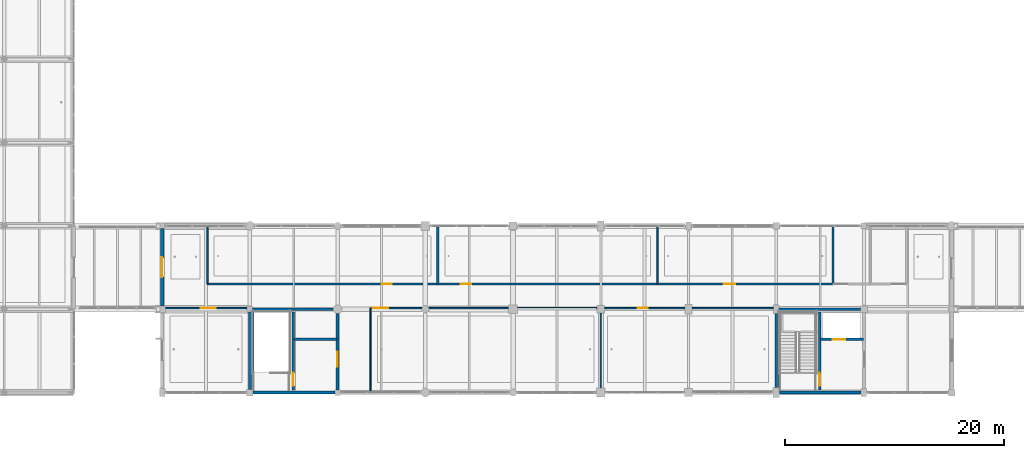
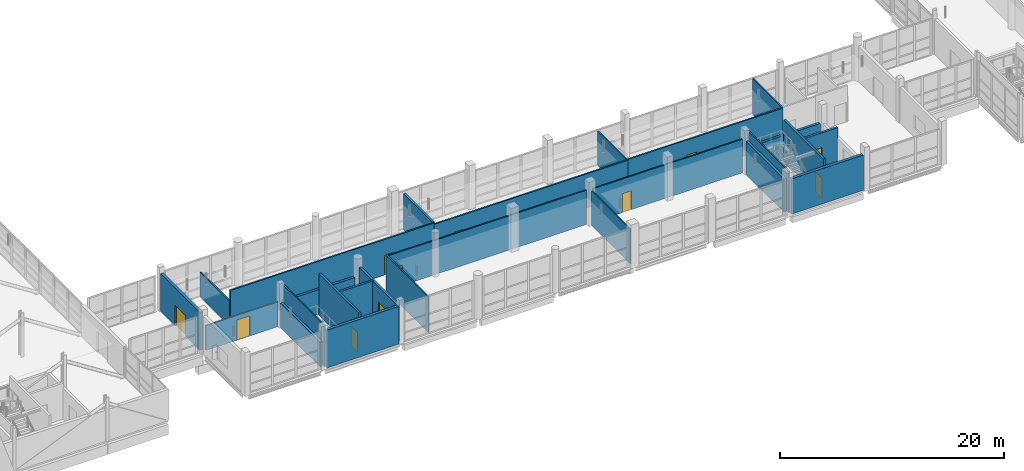
# One storey, part 91 of 141: 26 walls, 11 doors, 11 openings.
"""IFC4 building model written with IfcOpenShell, lengths in metres."""

from ifc_helpers import new_model, si_unit, direction, frame, frame_2d, origin, place, context, subcontext, project, spatial, rectangle, extrude, material, layer, layer_set, type_object, element, fill, save


model = new_model("IFC4")

# Units and contexts
model_context = context("Model", 3, precision=1e-05, world=origin(), true_north=direction((0.0, 1.0)))
body_context = subcontext(model_context, "Body", "Model", "MODEL_VIEW")
ifc_project = project(units=[si_unit("LENGTHUNIT", "METRE"), si_unit("AREAUNIT", "SQUARE_METRE"), si_unit("VOLUMEUNIT", "CUBIC_METRE"), si_unit("PLANEANGLEUNIT", "RADIAN"), si_unit("MASSUNIT", "GRAM", prefix="KILO")], contexts=[model_context])

# Site, building, storey
site_placement = place(None, origin())
site = spatial("IfcSite", under=ifc_project, at=site_placement, CompositionType="ELEMENT")
building_placement = place(site_placement, origin())
building = spatial("IfcBuilding", under=site, at=building_placement, Name="Khelvaren Railside Concert Hall", CompositionType="ELEMENT")
storey_placement = place(building_placement, frame((0.0, 0.0, 10.199951171875)))
storey = spatial("IfcBuildingStorey", under=building, at=storey_placement, Name="L02", CompositionType="ELEMENT", Elevation=10.199951171875)

# Walls
ifc_material_1 = material(Name="Concrete C40/50", Category="concrete")
ifc_layer_1 = layer(ifc_material_1, 0.139892578125)
ifc_layer_set_1 = layer_set([ifc_layer_1], Name="Concrete C40/50")
wall_type_1 = type_object("IfcWallType", Name="CW17", PredefinedType="SOLIDWALL", material=ifc_layer_set_1)
for number, where, z_axis, x_axis, name in (
    (1, (72.27490234375, 0.14990234375, 0.0), (0.0, 0.0, 1.0), (0.0, 1.0, 0.0), "Core Shaft Structural Liner Wall ST-05-L02"),
    (2, (120.27490234375, 0.14990234375, 0.0), (0.0, 0.0, 1.0), (0.0, 1.0, 0.0), "Core Shaft Structural Liner Wall ST-06-L02"),
):
    element("IfcWall", number, at=place(storey_placement, frame(where, z_axis=z_axis, x_axis=x_axis)), inside=storey, type_object=wall_type_1, Name=name, PredefinedType="SOLIDWALL", context=body_context, shape_type="SweptSolid", body=[
        extrude(rectangle(XDim=7.300048828125, YDim=0.139892578125, at=frame_2d((3.64990234375, 0.0))), origin(), (0.0, 0.0, 1.0), 4.52001953125),
    ])
ifc_layer_2 = layer(ifc_material_1, 0.25)
ifc_layer_set_2 = layer_set([ifc_layer_2], Name="Concrete C40/50")
wall_type_2 = type_object("IfcWallType", Name="CW82", PredefinedType="SOLIDWALL", material=ifc_layer_set_2)
wall_1_placement = place(storey_placement, frame((72.0, 0.300048828125, 0.0), z_axis=(0.0, 0.0, 1.0), x_axis=(0.0, 1.0, 0.0)))
element("IfcWall", 3, at=wall_1_placement, inside=storey, type_object=wall_type_2, Name="Core Enclosure Wall CWALL-ST-05-L02-W", PredefinedType="SOLIDWALL", context=body_context, shape_type="SweptSolid", body=[
    extrude(rectangle(XDim=7.050048828125, YDim=0.25, at=frame_2d((3.52490234375, 0.0))), origin(), (0.0, 0.0, 1.0), 2.7099609375),
])
wall_2_placement = place(storey_placement, frame((72.25, 7.60009765625, 0.0), z_axis=(0.0, 0.0, 1.0), x_axis=(1.0, 0.0, 0.0)))
element("IfcWall", 4, at=wall_2_placement, inside=storey, type_object=wall_type_2, Name="Core Enclosure Wall CWALL-ST-05-L02-N", PredefinedType="SOLIDWALL", context=body_context, shape_type="SweptSolid", body=[
    extrude(rectangle(XDim=7.35009765625, YDim=0.25, at=frame_2d((3.675048828125, 0.0))), origin(), (0.0, 0.0, 1.0), 2.7099609375),
])

# Wall, opening, door
wall_3_placement = place(storey_placement, frame((80.0, 0.25, 0.0), z_axis=(0.0, 0.0, 1.0), x_axis=(0.0, 1.0, 0.0)))
wall_3 = element("IfcWall", 5, at=wall_3_placement, inside=storey, type_object=wall_type_2, Name="Core Enclosure Wall CWALL-ST-05-L02-E", PredefinedType="SOLIDWALL", context=body_context, shape_type="SweptSolid", body=[
    extrude(rectangle(XDim=6.949951171875, YDim=0.25, at=frame_2d((3.47509765625, 0.0))), origin(), (0.0, 0.0, 1.0), 3.89013671875),
])
opening_1_placement = place(wall_3_placement, frame((2.10009765625, 0.0, 0.0)))
opening_1 = element("IfcOpeningElement", 6, at=opening_1_placement, cuts=wall_3, Name="Opening FDR34", PredefinedType="OPENING", context=body_context, shape_type="SweptSolid", body=[
    extrude(rectangle(XDim=1.35009765625, YDim=2.199951171875, at=frame_2d((0.675048828125, 1.10009765625))), frame((0.0, 0.135009765625, 0.0), z_axis=(0.0, -1.0, 0.0), x_axis=(1.0, 0.0, 0.0)), (0.0, 0.0, 1.0), 0.27001953125),
])
ifc_material_2 = material(Name="Acoustic fire-rated timber-core steel frame door", Category="steel")
door_type_1 = type_object("IfcDoorType", Name="FDR34", OperationType="NOTDEFINED", PredefinedType="DOOR", material=ifc_material_2)
door_1_placement = place(opening_1_placement, origin())
door_1 = element("IfcDoor", 7, at=door_1_placement, inside=storey, type_object=door_type_1, Name="Interior Door DR-ST-05-L02-LOB", OperationType="SINGLE_SWING_LEFT", OverallHeight=2.199951171875, OverallWidth=1.35009765625, PredefinedType="DOOR", context=body_context, shape_type="SweptSolid", body=[
    extrude(rectangle(XDim=1.35009765625, YDim=2.199951171875, at=frame_2d((0.675048828125, 1.10009765625))), frame((0.0, 0.02490234375, 0.0), z_axis=(0.0, -1.0, 0.0), x_axis=(1.0, 0.0, 0.0)), (0.0, 0.0, 1.0), 0.050048828125),
])
fill(opening_1, door_1)

# Walls
wall_4_placement = place(storey_placement, frame((120.0, 0.449951171875, 0.0), z_axis=(0.0, 0.0, 1.0), x_axis=(0.0, 1.0, 0.0)))
element("IfcWall", 8, at=wall_4_placement, inside=storey, type_object=wall_type_2, Name="Core Enclosure Wall CWALL-ST-06-L02-W", PredefinedType="SOLIDWALL", context=body_context, shape_type="SweptSolid", body=[
    extrude(rectangle(XDim=6.775146484375, YDim=0.25, at=frame_2d((3.3876953125, 0.0))), origin(), (0.0, 0.0, 1.0), 3.64501953125),
])
wall_5_placement = place(storey_placement, frame((120.25, 7.60009765625, 0.0), z_axis=(0.0, 0.0, 1.0), x_axis=(1.0, 0.0, 0.0)))
element("IfcWall", 9, at=wall_5_placement, inside=storey, type_object=wall_type_2, Name="Core Enclosure Wall CWALL-ST-06-L02-N", PredefinedType="SOLIDWALL", context=body_context, shape_type="SweptSolid", body=[
    extrude(rectangle(XDim=7.449951171875, YDim=0.25, at=frame_2d((3.72509765625, 0.0))), origin(), (0.0, 0.0, 1.0), 2.7099609375),
])

# Wall, opening, door
ifc_layer_3 = layer(ifc_material_1, 0.219970703125)
ifc_layer_set_3 = layer_set([ifc_layer_3], Name="Concrete C40/50")
wall_type_3 = type_object("IfcWallType", Name="CW97", PredefinedType="SOLIDWALL", material=ifc_layer_set_3)
wall_6_placement = place(storey_placement, frame((75.949951171875, 0.25, 0.0), z_axis=(0.0, 0.0, 1.0), x_axis=(0.0, 1.0, 0.0)))
wall_6 = element("IfcWall", 10, at=wall_6_placement, inside=storey, type_object=wall_type_3, Name="Core Enclosure Wall CWALL-ST-05-L02-MID", PredefinedType="SOLIDWALL", context=body_context, shape_type="SweptSolid", body=[
    extrude(rectangle(XDim=7.10009765625, YDim=0.219970703125, at=frame_2d((3.550048828125, 0.0))), origin(), (0.0, 0.0, 1.0), 4.52001953125),
])
opening_2_placement = place(wall_6_placement, frame((0.35009765625, 0.0, 0.0)))
opening_2 = element("IfcOpeningElement", 11, at=opening_2_placement, cuts=wall_6, Name="Opening FDR17", PredefinedType="OPENING", context=body_context, shape_type="SweptSolid", body=[
    extrude(rectangle(XDim=1.199951171875, YDim=2.14990234375, at=frame_2d((0.60009765625, 1.074951171875))), frame((0.0, 0.119873046875, 0.0), z_axis=(0.0, -1.0, 0.0), x_axis=(1.0, 0.0, 0.0)), (0.0, 0.0, 1.0), 0.239990234375),
])
door_type_2 = type_object("IfcDoorType", Name="FDR17", OperationType="NOTDEFINED", PredefinedType="DOOR", material=ifc_material_2)
door_2_placement = place(opening_2_placement, origin())
door_2 = element("IfcDoor", 12, at=door_2_placement, inside=storey, type_object=door_type_2, Name="Interior Door DR-ST-05-L02-ST", OperationType="SINGLE_SWING_RIGHT", OverallHeight=2.14990234375, OverallWidth=1.199951171875, PredefinedType="DOOR", context=body_context, shape_type="SweptSolid", body=[
    extrude(rectangle(XDim=1.199951171875, YDim=2.14990234375, at=frame_2d((0.60009765625, 1.074951171875))), frame((0.0, 0.02490234375, 0.0), z_axis=(0.0, -1.0, 0.0), x_axis=(1.0, 0.0, 0.0)), (0.0, 0.0, 1.0), 0.050048828125),
])
fill(opening_2, door_2)

# Wall
wall_7_placement = place(storey_placement, frame((76.02001953125, 4.85009765625, 0.0), z_axis=(0.0, 0.0, 1.0), x_axis=(1.0, 0.0, 0.0)))
element("IfcWall", 13, at=wall_7_placement, inside=storey, type_object=wall_type_3, Name="Core Enclosure Wall CWALL-ST-05-L02-SHF", PredefinedType="SOLIDWALL", context=body_context, shape_type="SweptSolid", body=[
    extrude(rectangle(XDim=3.929931640625, YDim=0.219970703125, at=frame_2d((1.96484375, 0.0))), origin(), (0.0, 0.0, 1.0), 3.89013671875),
])

# Wall, opening, door
wall_8_placement = place(storey_placement, frame((123.949951171875, 0.25, 0.0), z_axis=(0.0, 0.0, 1.0), x_axis=(0.0, 1.0, 0.0)))
wall_8 = element("IfcWall", 14, at=wall_8_placement, inside=storey, type_object=wall_type_3, Name="Core Enclosure Wall CWALL-ST-06-L02-MID", PredefinedType="SOLIDWALL", context=body_context, shape_type="SweptSolid", body=[
    extrude(rectangle(XDim=7.10009765625, YDim=0.219970703125, at=frame_2d((3.550048828125, 0.0))), origin(), (0.0, 0.0, 1.0), 4.52001953125),
])
opening_3_placement = place(wall_8_placement, frame((0.35009765625, 0.0, 0.0)))
opening_3 = element("IfcOpeningElement", 15, at=opening_3_placement, cuts=wall_8, Name="Opening FDR17", PredefinedType="OPENING", context=body_context, shape_type="SweptSolid", body=[
    extrude(rectangle(XDim=1.199951171875, YDim=2.14990234375, at=frame_2d((0.60009765625, 1.074951171875))), frame((0.0, 0.119873046875, 0.0), z_axis=(0.0, -1.0, 0.0), x_axis=(1.0, 0.0, 0.0)), (0.0, 0.0, 1.0), 0.239990234375),
])
door_3_placement = place(opening_3_placement, origin())
door_3 = element("IfcDoor", 16, at=door_3_placement, inside=storey, type_object=door_type_2, Name="Interior Door DR-ST-06-L02-ST", OperationType="SINGLE_SWING_RIGHT", OverallHeight=2.14990234375, OverallWidth=1.199951171875, PredefinedType="DOOR", context=body_context, shape_type="SweptSolid", body=[
    extrude(rectangle(XDim=1.199951171875, YDim=2.14990234375, at=frame_2d((0.60009765625, 1.074951171875))), frame((0.0, 0.02490234375, 0.0), z_axis=(0.0, -1.0, 0.0), x_axis=(1.0, 0.0, 0.0)), (0.0, 0.0, 1.0), 0.050048828125),
])
fill(opening_3, door_3)

wall_9_placement = place(storey_placement, frame((124.02001953125, 4.85009765625, 0.0), z_axis=(0.0, 0.0, 1.0), x_axis=(1.0, 0.0, 0.0)))
wall_9 = element("IfcWall", 17, at=wall_9_placement, inside=storey, type_object=wall_type_3, Name="Core Enclosure Wall CWALL-ST-06-L02-SHF", PredefinedType="SOLIDWALL", context=body_context, shape_type="SweptSolid", body=[
    extrude(rectangle(XDim=3.929931640625, YDim=0.219970703125, at=frame_2d((1.96484375, 0.0))), origin(), (0.0, 0.0, 1.0), 3.820068359375),
])
opening_4_placement = place(wall_9_placement, frame((1.14990234375, 0.0, 0.0)))
opening_4 = element("IfcOpeningElement", 18, at=opening_4_placement, cuts=wall_9, Name="Opening LD-PL-04", PredefinedType="OPENING", context=body_context, shape_type="SweptSolid", body=[
    extrude(rectangle(XDim=1.10009765625, YDim=2.199951171875, at=frame_2d((0.550048828125, 1.10009765625))), frame((0.0, 0.119873046875, 0.0), z_axis=(0.0, -1.0, 0.0), x_axis=(1.0, 0.0, 0.0)), (0.0, 0.0, 1.0), 0.239990234375),
])
ifc_material_3 = material(Name="Fire-rated brushed stainless steel landing door", Category="steel")
door_type_3 = type_object("IfcDoorType", Name="LD96", OperationType="DOUBLE_DOOR_SLIDING", PredefinedType="DOOR", material=ifc_material_3)
door_4_placement = place(opening_4_placement, origin())
door_4 = element("IfcDoor", 19, at=door_4_placement, inside=storey, type_object=door_type_3, Name="Lift Landing Door LD-PL-04-L02", OperationType="DOUBLE_DOOR_SLIDING", OverallHeight=2.199951171875, OverallWidth=1.10009765625, PredefinedType="DOOR", context=body_context, shape_type="SweptSolid", body=[
    extrude(rectangle(XDim=1.10009765625, YDim=2.199951171875, at=frame_2d((0.550048828125, 1.10009765625))), frame((0.0, 0.02490234375, 0.0), z_axis=(0.0, -1.0, 0.0), x_axis=(1.0, 0.0, 0.0)), (0.0, 0.0, 1.0), 0.050048828125),
])
fill(opening_4, door_4)

# Walls
ifc_material_4 = material(Name="Board-marked architectural concrete C40/50", Category="concrete")
ifc_layer_4 = layer(ifc_material_4, 0.2900390625)
ifc_layer_set_4 = layer_set([ifc_layer_4], Name="Board-marked architectural concrete C40/50")
wall_type_4 = type_object("IfcWallType", Name="EW77", PredefinedType="SOLIDWALL", material=ifc_layer_set_4)
wall_10_placement = place(storey_placement, frame((79.75, 0.0, 0.0), z_axis=(0.0, 0.0, 1.0), x_axis=(-1.0, 0.0, 0.0)))
element("IfcWall", 20, at=wall_10_placement, inside=storey, type_object=wall_type_4, Name="V3 L02 Exterior Concrete Wall S-72", PredefinedType="SOLIDWALL", context=body_context, shape_type="SweptSolid", body=[
    extrude(rectangle(XDim=7.449951171875, YDim=0.2900390625, at=frame_2d((3.72509765625, 0.0))), origin(), (0.0, 0.0, 1.0), 4.130126953125),
])
wall_11_placement = place(storey_placement, frame((127.75, 0.0, 0.0), z_axis=(0.0, 0.0, 1.0), x_axis=(-1.0, 0.0, 0.0)))
element("IfcWall", 21, at=wall_11_placement, inside=storey, type_object=wall_type_4, Name="V3 L02 Exterior Concrete Wall S-120", PredefinedType="SOLIDWALL", context=body_context, shape_type="SweptSolid", body=[
    extrude(rectangle(XDim=7.449951171875, YDim=0.2900390625, at=frame_2d((3.72509765625, 0.0))), origin(), (0.0, 0.0, 1.0), 3.860107421875),
])

# Wall, opening, door
wall_12_placement = place(storey_placement, frame((64.0, 7.89990234375, 0.0), z_axis=(0.0, 0.0, 1.0), x_axis=(0.0, 1.0, 0.0)))
wall_12 = element("IfcWall", 22, at=wall_12_placement, inside=storey, type_object=wall_type_4, Name="V3 L02 Bridge Portal Wall W", PredefinedType="SOLIDWALL", context=body_context, shape_type="SweptSolid", body=[
    extrude(rectangle(XDim=7.050048828125, YDim=0.2900390625, at=frame_2d((3.52490234375, 0.0))), origin(), (0.0, 0.0, 1.0), 4.130126953125),
])
opening_5_placement = place(wall_12_placement, frame((2.625, 0.0, 0.0)))
opening_5 = element("IfcOpeningElement", 23, at=opening_5_placement, cuts=wall_12, Name="Opening DR64", PredefinedType="OPENING", context=body_context, shape_type="SweptSolid", body=[
    extrude(rectangle(XDim=1.800048828125, YDim=2.25, at=frame_2d((0.89990234375, 1.125))), frame((0.0, 0.155029296875, 0.0), z_axis=(0.0, -1.0, 0.0), x_axis=(1.0, 0.0, 0.0)), (0.0, 0.0, 1.0), 0.31005859375),
])
ifc_material_5 = material(Name="Glazed fire-rated steel frame door", Category="steel")
door_type_4 = type_object("IfcDoorType", Name="DR64", OperationType="DOUBLE_DOOR_SINGLE_SWING", PredefinedType="DOOR", material=ifc_material_5)
door_5_placement = place(opening_5_placement, origin())
door_5 = element("IfcDoor", 24, at=door_5_placement, inside=storey, type_object=door_type_4, Name="V3 L02 Link Bridge Portal Door", OperationType="DOUBLE_DOOR_SINGLE_SWING", OverallHeight=2.25, OverallWidth=1.800048828125, PredefinedType="DOOR", context=body_context, shape_type="SweptSolid", body=[
    extrude(rectangle(XDim=1.800048828125, YDim=2.25, at=frame_2d((0.89990234375, 1.125))), frame((0.0, 0.02490234375, 0.0), z_axis=(0.0, -1.0, 0.0), x_axis=(1.0, 0.0, 0.0)), (0.0, 0.0, 1.0), 0.050048828125),
])
fill(opening_5, door_5)

# Wall
ifc_material_6 = material(Name="Acoustic double-stud gypsum partition", Category="gypsum")
ifc_layer_5 = layer(ifc_material_6, 0.139892578125)
ifc_layer_set_5 = layer_set([ifc_layer_5], Name="Acoustic double-stud gypsum partition")
wall_type_5 = type_object("IfcWallType", Name="PT41", PredefinedType="PARTITIONING", material=ifc_layer_set_5)
wall_13_placement = place(storey_placement, frame((125.174072265625, 9.89990234375, 0.0), z_axis=(0.0, 0.0, 1.0), x_axis=(0.0, 1.0, 0.0)))
element("IfcWall", 25, at=wall_13_placement, inside=storey, type_object=wall_type_5, Name="Acoustic Partition Wall PW-V3-L02-N-D03", PredefinedType="PARTITIONING", context=body_context, shape_type="SweptSolid", body=[
    extrude(rectangle(XDim=5.22021484375, YDim=0.139892578125, at=frame_2d((2.610107421875, 0.0))), origin(), (0.0, 0.0, 1.0), 3.89013671875),
])

# Wall, opening, door
ifc_layer_6 = layer(ifc_material_6, 0.139892578125)
ifc_layer_set_6 = layer_set([ifc_layer_6], Name="Acoustic double-stud gypsum partition")
wall_type_6 = type_object("IfcWallType", Name="PT55", PredefinedType="PARTITIONING", material=ifc_layer_set_6)
wall_14_placement = place(storey_placement, frame((64.300048828125, 7.699951171875, 0.0), z_axis=(0.0, 0.0, 1.0), x_axis=(1.0, 0.0, 0.0)))
wall_14 = element("IfcWall", 26, at=wall_14_placement, inside=storey, type_object=wall_type_6, Name="Acoustic Partition Wall PW-V3-L02-SW-C01", PredefinedType="PARTITIONING", context=body_context, shape_type="SweptSolid", body=[
    extrude(rectangle(XDim=7.449951171875, YDim=0.139892578125, at=frame_2d((3.72509765625, 0.0))), origin(), (0.0, 0.0, 1.0), 2.7099609375),
])
opening_6_placement = place(wall_14_placement, frame((3.22509765625, 0.0, 0.0)))
opening_6 = element("IfcOpeningElement", 27, at=opening_6_placement, cuts=wall_14, Name="Opening IDR52", PredefinedType="OPENING", context=body_context, shape_type="SweptSolid", body=[
    extrude(rectangle(XDim=1.340087890625, YDim=2.199951171875, at=frame_2d((0.669921875, 1.10009765625))), frame((0.0, 0.079833984375, 0.0), z_axis=(0.0, -1.0, 0.0), x_axis=(1.0, 0.0, 0.0)), (0.0, 0.0, 1.0), 0.159912109375),
])
ifc_material_7 = material(Name="Solid oak acoustic studio door", Category="wood")
door_type_5 = type_object("IfcDoorType", Name="IDR52", OperationType="NOTDEFINED", PredefinedType="DOOR", material=ifc_material_7)
door_6_placement = place(opening_6_placement, origin())
door_6 = element("IfcDoor", 28, at=door_6_placement, inside=storey, type_object=door_type_5, Name="Interior Door DR-V3-L02-SW-01", OperationType="SINGLE_SWING_RIGHT", OverallHeight=2.199951171875, OverallWidth=1.340087890625, PredefinedType="DOOR", context=body_context, shape_type="SweptSolid", body=[
    extrude(rectangle(XDim=1.340087890625, YDim=2.199951171875, at=frame_2d((0.669921875, 1.10009765625))), frame((0.0, 0.02490234375, 0.0), z_axis=(0.0, -1.0, 0.0), x_axis=(1.0, 0.0, 0.0)), (0.0, 0.0, 1.0), 0.050048828125),
])
fill(opening_6, door_6)

ifc_layer_7 = layer(ifc_material_6, 0.1298828125)
ifc_layer_set_7 = layer_set([ifc_layer_7], Name="Acoustic double-stud gypsum partition")
wall_type_7 = type_object("IfcWallType", Name="PT69", PredefinedType="PARTITIONING", material=ifc_layer_set_7)
wall_15_placement = place(storey_placement, frame((83.0, 7.699951171875, 0.0), z_axis=(0.0, 0.0, 1.0), x_axis=(1.0, 0.0, 0.0)))
wall_15 = element("IfcWall", 29, at=wall_15_placement, inside=storey, type_object=wall_type_7, Name="Acoustic Partition Wall PW-V3-L02-S-C01", PredefinedType="PARTITIONING", context=body_context, shape_type="SweptSolid", body=[
    extrude(rectangle(XDim=20.64990234375, YDim=0.1298828125, at=frame_2d((10.324951171875, 0.0))), origin(), (0.0, 0.0, 1.0), 3.7451171875),
])
opening_7_placement = place(wall_15_placement, frame((0.219970703125, 0.0, 0.0)))
opening_7 = element("IfcOpeningElement", 30, at=opening_7_placement, cuts=wall_15, Name="Opening IDR82", PredefinedType="OPENING", context=body_context, shape_type="SweptSolid", body=[
    extrude(rectangle(XDim=1.3798828125, YDim=2.199951171875, at=frame_2d((0.68994140625, 1.10009765625))), frame((0.0, 0.074951171875, 0.0), z_axis=(0.0, -1.0, 0.0), x_axis=(1.0, 0.0, 0.0)), (0.0, 0.0, 1.0), 0.14990234375),
])
door_type_6 = type_object("IfcDoorType", Name="IDR82", OperationType="NOTDEFINED", PredefinedType="DOOR", material=ifc_material_7)
door_7_placement = place(opening_7_placement, origin())
door_7 = element("IfcDoor", 31, at=door_7_placement, inside=storey, type_object=door_type_6, Name="Interior Door DR-V3-L02-S-01", OperationType="SINGLE_SWING_LEFT", OverallHeight=2.199951171875, OverallWidth=1.3798828125, PredefinedType="DOOR", context=body_context, shape_type="SweptSolid", body=[
    extrude(rectangle(XDim=1.3798828125, YDim=2.199951171875, at=frame_2d((0.68994140625, 1.10009765625))), frame((0.0, 0.02490234375, 0.0), z_axis=(0.0, -1.0, 0.0), x_axis=(1.0, 0.0, 0.0)), (0.0, 0.0, 1.0), 0.050048828125),
])
fill(opening_7, door_7)

wall_16_placement = place(storey_placement, frame((104.35009765625, 7.699951171875, 0.0), z_axis=(0.0, 0.0, 1.0), x_axis=(1.0, 0.0, 0.0)))
wall_16 = element("IfcWall", 32, at=wall_16_placement, inside=storey, type_object=wall_type_7, Name="Acoustic Partition Wall PW-V3-L02-S-C02", PredefinedType="PARTITIONING", context=body_context, shape_type="SweptSolid", body=[
    extrude(rectangle(XDim=15.39990234375, YDim=0.1298828125, at=frame_2d((7.699951171875, 0.0))), origin(), (0.0, 0.0, 1.0), 3.66015625),
])
opening_8_placement = place(wall_16_placement, frame((3.011962890625, 0.0, 0.0)))
opening_8 = element("IfcOpeningElement", 33, at=opening_8_placement, cuts=wall_16, Name="Opening IDR59", PredefinedType="OPENING", context=body_context, shape_type="SweptSolid", body=[
    extrude(rectangle(XDim=0.89990234375, YDim=2.050048828125, at=frame_2d((0.449951171875, 1.02490234375))), frame((0.0, 0.074951171875, 0.0), z_axis=(0.0, -1.0, 0.0), x_axis=(1.0, 0.0, 0.0)), (0.0, 0.0, 1.0), 0.14990234375),
])
door_type_7 = type_object("IfcDoorType", Name="IDR59", OperationType="NOTDEFINED", PredefinedType="DOOR", material=ifc_material_7)
door_8_placement = place(opening_8_placement, origin())
door_8 = element("IfcDoor", 34, at=door_8_placement, inside=storey, type_object=door_type_7, Name="Interior Door DR-V3-L02-S-02", OperationType="SINGLE_SWING_RIGHT", OverallHeight=2.050048828125, OverallWidth=0.89990234375, PredefinedType="DOOR", context=body_context, shape_type="SweptSolid", body=[
    extrude(rectangle(XDim=0.89990234375, YDim=2.050048828125, at=frame_2d((0.449951171875, 1.02490234375))), frame((0.0, 0.02490234375, 0.0), z_axis=(0.0, -1.0, 0.0), x_axis=(1.0, 0.0, 0.0)), (0.0, 0.0, 1.0), 0.050048828125),
])
fill(opening_8, door_8)

# Wall
wall_17_placement = place(storey_placement, frame((83.0, 0.080078125, 0.0), z_axis=(0.0, 0.0, 1.0), x_axis=(0.0, 1.0, 0.0)))
element("IfcWall", 35, at=wall_17_placement, inside=storey, type_object=wall_type_7, Name="Acoustic Partition Wall PW-V3-L02-S-W0", PredefinedType="PARTITIONING", context=body_context, shape_type="SweptSolid", body=[
    extrude(rectangle(XDim=7.619873046875, YDim=0.1298828125, at=frame_2d((3.81005859375, 0.0))), origin(), (0.0, 0.0, 1.0), 3.89013671875),
])

# Wall, opening, door
ifc_layer_8 = layer(ifc_material_6, 0.14990234375)
ifc_layer_set_8 = layer_set([ifc_layer_8], Name="Acoustic double-stud gypsum partition")
wall_type_8 = type_object("IfcWallType", Name="PT72", PredefinedType="PARTITIONING", material=ifc_layer_set_8)
wall_18_placement = place(storey_placement, frame((68.1201171875, 9.89990234375, 0.0), z_axis=(0.0, 0.0, 1.0), x_axis=(1.0, 0.0, 0.0)))
wall_18 = element("IfcWall", 36, at=wall_18_placement, inside=storey, type_object=wall_type_8, Name="Acoustic Partition Wall PW-V3-L02-N-C01", PredefinedType="PARTITIONING", context=body_context, shape_type="SweptSolid", body=[
    extrude(rectangle(XDim=21.019775390625, YDim=0.14990234375, at=frame_2d((10.509765625, 0.0))), origin(), (0.0, 0.0, 1.0), 3.89013671875),
])
opening_9_placement = place(wall_18_placement, frame((15.884033203125, 0.0, 0.0)))
opening_9 = element("IfcOpeningElement", 37, at=opening_9_placement, cuts=wall_18, Name="Opening IDR15", PredefinedType="OPENING", context=body_context, shape_type="SweptSolid", body=[
    extrude(rectangle(XDim=0.919921875, YDim=2.14990234375, at=frame_2d((0.4599609375, 1.074951171875))), frame((0.0, 0.0849609375, 0.0), z_axis=(0.0, -1.0, 0.0), x_axis=(1.0, 0.0, 0.0)), (0.0, 0.0, 1.0), 0.169921875),
])
door_type_8 = type_object("IfcDoorType", Name="IDR15", OperationType="NOTDEFINED", PredefinedType="DOOR", material=ifc_material_7)
door_9_placement = place(opening_9_placement, origin())
door_9 = element("IfcDoor", 38, at=door_9_placement, inside=storey, type_object=door_type_8, Name="Interior Door DR-V3-L02-N-01", OperationType="SINGLE_SWING_LEFT", OverallHeight=2.14990234375, OverallWidth=0.919921875, PredefinedType="DOOR", context=body_context, shape_type="SweptSolid", body=[
    extrude(rectangle(XDim=0.919921875, YDim=2.14990234375, at=frame_2d((0.4599609375, 1.074951171875))), frame((0.0, 0.02490234375, 0.0), z_axis=(0.0, -1.0, 0.0), x_axis=(1.0, 0.0, 0.0)), (0.0, 0.0, 1.0), 0.050048828125),
])
fill(opening_9, door_9)

wall_19_placement = place(storey_placement, frame((89.139892578125, 9.89990234375, 0.0), z_axis=(0.0, 0.0, 1.0), x_axis=(1.0, 0.0, 0.0)))
wall_19 = element("IfcWall", 39, at=wall_19_placement, inside=storey, type_object=wall_type_8, Name="Acoustic Partition Wall PW-V3-L02-N-C02", PredefinedType="PARTITIONING", context=body_context, shape_type="SweptSolid", body=[
    extrude(rectangle(XDim=20.01904296875, YDim=0.14990234375, at=frame_2d((10.009521484375, 0.0))), origin(), (0.0, 0.0, 1.0), 3.7451171875),
])
opening_10_placement = place(wall_19_placement, frame((2.077880859375, 0.0, 0.0)))
opening_10 = element("IfcOpeningElement", 40, at=opening_10_placement, cuts=wall_19, Name="Opening IDR67", PredefinedType="OPENING", context=body_context, shape_type="SweptSolid", body=[
    extrude(rectangle(XDim=0.97998046875, YDim=2.14990234375, at=frame_2d((0.489990234375, 1.074951171875))), frame((0.0, 0.0849609375, 0.0), z_axis=(0.0, -1.0, 0.0), x_axis=(1.0, 0.0, 0.0)), (0.0, 0.0, 1.0), 0.169921875),
])
door_type_9 = type_object("IfcDoorType", Name="IDR67", OperationType="NOTDEFINED", PredefinedType="DOOR", material=ifc_material_7)
door_10_placement = place(opening_10_placement, origin())
door_10 = element("IfcDoor", 41, at=door_10_placement, inside=storey, type_object=door_type_9, Name="Interior Door DR-V3-L02-N-02", OperationType="SINGLE_SWING_RIGHT", OverallHeight=2.14990234375, OverallWidth=0.97998046875, PredefinedType="DOOR", context=body_context, shape_type="SweptSolid", body=[
    extrude(rectangle(XDim=0.97998046875, YDim=2.14990234375, at=frame_2d((0.489990234375, 1.074951171875))), frame((0.0, 0.02490234375, 0.0), z_axis=(0.0, -1.0, 0.0), x_axis=(1.0, 0.0, 0.0)), (0.0, 0.0, 1.0), 0.050048828125),
])
fill(opening_10, door_10)

wall_20_placement = place(storey_placement, frame((109.158935546875, 9.89990234375, 0.0), z_axis=(0.0, 0.0, 1.0), x_axis=(1.0, 0.0, 0.0)))
wall_20 = element("IfcWall", 42, at=wall_20_placement, inside=storey, type_object=wall_type_8, Name="Acoustic Partition Wall PW-V3-L02-N-C03", PredefinedType="PARTITIONING", context=body_context, shape_type="SweptSolid", body=[
    extrude(rectangle(XDim=16.01513671875, YDim=0.14990234375, at=frame_2d((8.007568359375, 0.0))), origin(), (0.0, 0.0, 1.0), 3.820068359375),
])
opening_11_placement = place(wall_20_placement, frame((6.050048828125, 0.0, 0.0)))
opening_11 = element("IfcOpeningElement", 43, at=opening_11_placement, cuts=wall_20, Name="Opening IDR24", PredefinedType="OPENING", context=body_context, shape_type="SweptSolid", body=[
    extrude(rectangle(XDim=1.0400390625, YDim=2.14990234375, at=frame_2d((0.52001953125, 1.074951171875))), frame((0.0, 0.0849609375, 0.0), z_axis=(0.0, -1.0, 0.0), x_axis=(1.0, 0.0, 0.0)), (0.0, 0.0, 1.0), 0.169921875),
])
door_type_10 = type_object("IfcDoorType", Name="IDR24", OperationType="NOTDEFINED", PredefinedType="DOOR", material=ifc_material_7)
door_11_placement = place(opening_11_placement, origin())
door_11 = element("IfcDoor", 44, at=door_11_placement, inside=storey, type_object=door_type_10, Name="Interior Door DR-V3-L02-N-03", OperationType="SINGLE_SWING_LEFT", OverallHeight=2.14990234375, OverallWidth=1.0400390625, PredefinedType="DOOR", context=body_context, shape_type="SweptSolid", body=[
    extrude(rectangle(XDim=1.0400390625, YDim=2.14990234375, at=frame_2d((0.52001953125, 1.074951171875))), frame((0.0, 0.02490234375, 0.0), z_axis=(0.0, -1.0, 0.0), x_axis=(1.0, 0.0, 0.0)), (0.0, 0.0, 1.0), 0.050048828125),
])
fill(opening_11, door_11)

# Walls
wall_21_placement = place(storey_placement, frame((68.1201171875, 9.89990234375, 0.0), z_axis=(0.0, 0.0, 1.0), x_axis=(0.0, 1.0, 0.0)))
element("IfcWall", 45, at=wall_21_placement, inside=storey, type_object=wall_type_8, Name="Acoustic Partition Wall PW-V3-L02-N-W0", PredefinedType="PARTITIONING", context=body_context, shape_type="SweptSolid", body=[
    extrude(rectangle(XDim=5.22021484375, YDim=0.14990234375, at=frame_2d((2.610107421875, 0.0))), origin(), (0.0, 0.0, 1.0), 2.7099609375),
])
ifc_layer_9 = layer(ifc_material_6, 0.1201171875)
ifc_layer_set_9 = layer_set([ifc_layer_9], Name="Acoustic double-stud gypsum partition")
wall_type_9 = type_object("IfcWallType", Name="PT74", PredefinedType="PARTITIONING", material=ifc_layer_set_9)
wall_22_placement = place(storey_placement, frame((109.158935546875, 9.89990234375, 0.0), z_axis=(0.0, 0.0, 1.0), x_axis=(0.0, 1.0, 0.0)))
element("IfcWall", 46, at=wall_22_placement, inside=storey, type_object=wall_type_9, Name="Acoustic Partition Wall PW-V3-L02-N-D02", PredefinedType="PARTITIONING", context=body_context, shape_type="SweptSolid", body=[
    extrude(rectangle(XDim=5.22021484375, YDim=0.1201171875, at=frame_2d((2.610107421875, 0.0))), origin(), (0.0, 0.0, 1.0), 3.7451171875),
])
wall_23_placement = place(storey_placement, frame((104.0, 0.39990234375, 0.0), z_axis=(0.0, 0.0, 1.0), x_axis=(0.0, 1.0, 0.0)))
element("IfcWall", 47, at=wall_23_placement, inside=storey, type_object=wall_type_9, Name="Acoustic Partition Wall PW-V3-L02-S-D01", PredefinedType="PARTITIONING", context=body_context, shape_type="SweptSolid", body=[
    extrude(rectangle(XDim=6.85009765625, YDim=0.1201171875, at=frame_2d((3.425048828125, 0.0))), origin(), (0.0, 0.0, 1.0), 3.77001953125),
])
ifc_layer_10 = layer(ifc_material_6, 0.199951171875)
ifc_layer_set_10 = layer_set([ifc_layer_10], Name="Acoustic double-stud gypsum partition")
wall_type_10 = type_object("IfcWallType", Name="PT75", PredefinedType="PARTITIONING", material=ifc_layer_set_10)
wall_24_placement = place(storey_placement, frame((89.139892578125, 9.89990234375, 0.0), z_axis=(0.0, 0.0, 1.0), x_axis=(0.0, 1.0, 0.0)))
element("IfcWall", 48, at=wall_24_placement, inside=storey, type_object=wall_type_10, Name="Acoustic Partition Wall PW-V3-L02-N-D01", PredefinedType="PARTITIONING", context=body_context, shape_type="SweptSolid", body=[
    extrude(rectangle(XDim=5.22021484375, YDim=0.199951171875, at=frame_2d((2.610107421875, 0.0))), origin(), (0.0, 0.0, 1.0), 3.955078125),
])

save(model, "model.ifc")
